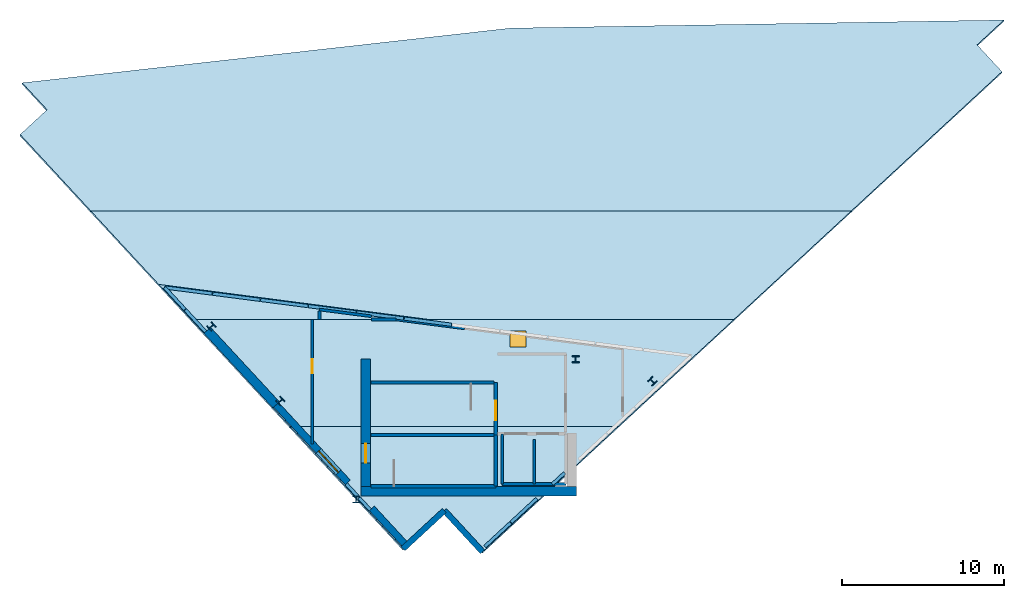
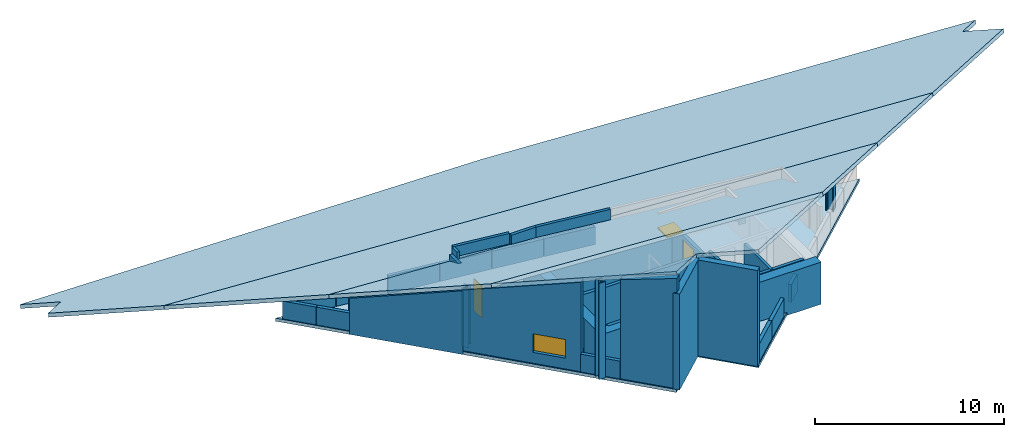
# One storey, part 1 of 3: 33 walls, 5 columns, 5 slabs, 4 doors, 1 window, 5 openings.
"""IFC4 building model written with IfcOpenShell, lengths in metres."""

from ifc_helpers import new_model, si_unit, direction, frame, frame_2d, origin, origin_2d, place, context, subcontext, project, spatial, polyline, rectangle, i_section, outline, extrude, material, layer, layer_set, material_profile, profile_set, type_object, element, fill, save


model = new_model("IFC4")

# Units and contexts
model_context = context("Model", 3, precision=1e-05, world=origin(), true_north=direction((0.0, 1.0)))
body_context = subcontext(model_context, "Body", "Model", "MODEL_VIEW")
ifc_project = project(units=[si_unit("LENGTHUNIT", "METRE"), si_unit("AREAUNIT", "SQUARE_METRE"), si_unit("VOLUMEUNIT", "CUBIC_METRE"), si_unit("PLANEANGLEUNIT", "RADIAN"), si_unit("MASSUNIT", "GRAM", prefix="KILO")], contexts=[model_context])

# Site, building, storey
site_placement = place(None, origin())
site = spatial("IfcSite", under=ifc_project, at=site_placement, CompositionType="ELEMENT")
building_placement = place(site_placement, origin())
building = spatial("IfcBuilding", under=site, at=building_placement, Name="Narakoshi Arena Tower", CompositionType="ELEMENT")
storey_placement = place(building_placement, frame((0.0, 0.0, 317.3798828125)))
storey = spatial("IfcBuildingStorey", under=building, at=storey_placement, Name="L85", CompositionType="ELEMENT", Elevation=317.3798828125)

# Columns
ifc_material_1 = material(Name="Structural steel S355J2", Category="steel")
ifc_material_profile = material_profile(ifc_material_1, i_section(OverallWidth=0.406005859375, OverallDepth=0.416015625, WebThickness=0.02978515625, FlangeThickness=0.048095703125, FilletRadius=0.014892578125, at=origin_2d()), Name="HD400x382")
ifc_profile_set = profile_set([ifc_material_profile], Name="Structural steel S355J2")
column_type = type_object("IfcColumnType", Name="COL-STL382", PredefinedType="COLUMN", material=ifc_profile_set)
column_1_placement = place(storey_placement, frame((72.0, 34.699951171875, 0.0), z_axis=(0.0, 0.0, 1.0), x_axis=(1.0, 0.0, 0.0)))
element("IfcColumn", 1, at=column_1_placement, inside=storey, type_object=column_type, Name="L85 Core Structural Column CC1", PredefinedType="COLUMN", context=body_context, shape_type="SweptSolid", body=[
    extrude(i_section(OverallWidth=0.406005859375, OverallDepth=0.416015625, WebThickness=0.02978515625, FlangeThickness=0.048095703125, FilletRadius=0.014892578125, at=origin_2d()), origin(), (0.0, 0.0, 1.0), 6.20654296875),
])
column_2_placement = place(storey_placement, frame((85.550048828125, 43.35009765625, 0.0), z_axis=(0.0, 0.0, 1.0), x_axis=(1.0, 0.0, 0.0)))
element("IfcColumn", 2, at=column_2_placement, inside=storey, type_object=column_type, Name="L85 Core Structural Column CC3", PredefinedType="COLUMN", context=body_context, shape_type="SweptSolid", body=[
    extrude(i_section(OverallWidth=0.406005859375, OverallDepth=0.416015625, WebThickness=0.02978515625, FlangeThickness=0.048095703125, FilletRadius=0.014892578125, at=origin_2d()), origin(), (0.0, 0.0, 1.0), 1.60986328125),
])
column_3_placement = place(storey_placement, frame((90.2734375, 41.992919921875, 0.0), z_axis=(0.0, 0.0, 1.0), x_axis=(0.734322509436, 0.678800745533, 0.0)))
element("IfcColumn", 3, at=column_3_placement, inside=storey, type_object=column_type, Name="L85 Tower Perimeter Column TC01", PredefinedType="COLUMN", context=body_context, shape_type="SweptSolid", body=[
    extrude(i_section(OverallWidth=0.406005859375, OverallDepth=0.416015625, WebThickness=0.02978515625, FlangeThickness=0.048095703125, FilletRadius=0.014892578125, at=origin_2d()), origin(), (0.0, 0.0, 1.0), 1.93798828125),
])
column_4_placement = place(storey_placement, frame((63.083984375, 45.3642578125, 0.0), z_axis=(0.0, 0.0, 1.0), x_axis=(-0.678800745533, 0.734322509436, 0.0)))
element("IfcColumn", 4, at=column_4_placement, inside=storey, type_object=column_type, Name="L85 Tower Perimeter Column TC15", PredefinedType="COLUMN", context=body_context, shape_type="SweptSolid", body=[
    extrude(i_section(OverallWidth=0.406005859375, OverallDepth=0.416015625, WebThickness=0.02978515625, FlangeThickness=0.048095703125, FilletRadius=0.014892578125, at=origin_2d()), origin(), (0.0, 0.0, 1.0), 2.009765625),
])
column_5_placement = place(storey_placement, frame((67.332763671875, 40.767578125, 0.0), z_axis=(0.0, 0.0, 1.0), x_axis=(-0.678800745533, 0.734322509436, 0.0)))
element("IfcColumn", 5, at=column_5_placement, inside=storey, type_object=column_type, Name="L85 Tower Perimeter Column TC16", PredefinedType="COLUMN", context=body_context, shape_type="SweptSolid", body=[
    extrude(i_section(OverallWidth=0.406005859375, OverallDepth=0.416015625, WebThickness=0.02978515625, FlangeThickness=0.048095703125, FilletRadius=0.014892578125, at=origin_2d()), origin(), (0.0, 0.0, 1.0), 3.79541015625),
])

# Slabs
ifc_material_2 = material(Name="Clear low-iron laminated structural glass", Category="glass")
ifc_layer_1 = layer(ifc_material_2, 0.219970703125)
ifc_layer_set_1 = layer_set([ifc_layer_1], Name="Clear low-iron laminated structural glass")
slab_type_1 = type_object("IfcSlabType", Name="SLB-CRN-220", PredefinedType="ROOF", material=ifc_layer_set_1)
slab_1_placement = place(storey_placement, frame((79.8056640625, 31.47216796875, 7.423828125), z_axis=(0.05241931565, 0.403346532841, 0.913544629338), x_axis=(-0.652800980486, 0.706120666892, -0.274307279642)))
element("IfcSlab", 6, at=slab_1_placement, inside=storey, type_object=slab_type_1, Name="L85 Slanted-Cut 24-Degree Glazed Crown Roof Panel 1", PredefinedType="ROOF", context=body_context, shape_type="SweptSolid", body=[
    extrude(outline(polyline([(0.0, 0.0), (3.607421875, 0.0), (3.282470703125, 3.651611328125), (13.953369140625, 3.651123046875), (1.06689453125, -11.98388671875), (0.0, 0.0)])), origin(), (0.0, 0.0, -1.0), 0.219970703125),
])
slab_2_placement = place(storey_placement, frame((88.16552734375, 39.199951171875, 3.5322265625), z_axis=(0.052418356279, 0.403344418437, 0.913545617931), x_axis=(-0.99835788023, 1.07921e-07, 0.057284753495)))
element("IfcSlab", 7, at=slab_2_placement, inside=storey, type_object=slab_type_1, Name="L85 Slanted-Cut 24-Degree Glazed Crown Roof Panel 2", PredefinedType="ROOF", context=body_context, shape_type="SweptSolid", body=[
    extrude(outline(polyline([(0.0, 0.0), (20.260986328125, 0.0), (26.205322265625, -7.212890625), (-7.318603515625, -7.212890625), (0.0, 0.0)])), origin(), (0.0, 0.0, -1.0), 0.219970703125),
])
slab_3_placement = place(storey_placement, frame((95.305419921875, 45.800048828125, 0.20849609375), z_axis=(0.052420706766, 0.403359660179, 0.913538753443), x_axis=(-0.998357732236, 1.039921e-06, 0.057287332661)))
element("IfcSlab", 8, at=slab_3_placement, inside=storey, type_object=slab_type_1, Name="L85 Slanted-Cut 24-Degree Glazed Crown Roof Panel 3", PredefinedType="ROOF", context=body_context, shape_type="SweptSolid", body=[
    extrude(outline(polyline([(0.0, 0.0), (33.523681640625, 0.0), (39.557861328125, -7.322021484375), (-7.429443359375, -7.322021484375), (0.0, 0.0)])), origin(), (0.0, 0.0, -1.0), 0.219970703125),
])
slab_4_placement = place(storey_placement, frame((51.298095703125, 57.200439453125, -2.2998046875), z_axis=(0.052424913926, 0.403333644309, 0.913549998505), x_axis=(0.694864042498, 0.642295929438, -0.323449998409)))
element("IfcSlab", 9, at=slab_4_placement, inside=storey, type_object=slab_type_1, Name="L85 Slanted-Cut 24-Degree Glazed Crown Roof Panel 4", PredefinedType="ROOF", context=body_context, shape_type="SweptSolid", body=[
    extrude(outline(polyline([(0.0, 0.0), (2.38330078125, 0.0), (2.59130859375, 2.3359375), (26.7265625, -16.270263671875), (48.8203125, -37.275634765625), (46.43701171875, -37.275634765625), (46.229248046875, -39.611572265625), (32.87646484375, -39.61181640625), (-0.59033203125, -6.63037109375), (0.0, 0.0)])), origin(), (0.0, 0.0, -1.0), 0.219970703125),
])

# Slab, opening, door
ifc_material_3 = material(Name="Concrete C45/55", Category="concrete")
ifc_layer_2 = layer(ifc_material_3, 0.199951171875)
ifc_layer_set_2 = layer_set([ifc_layer_2], Name="Concrete C45/55")
slab_type_2 = type_object("IfcSlabType", Name="SLB-TWR-200", PredefinedType="FLOOR", material=ifc_layer_set_2)
slab_5_placement = place(storey_placement, frame((0.0, 0.0, -0.199951171875)))
slab_5 = element("IfcSlab", 10, at=slab_5_placement, inside=storey, type_object=slab_type_2, Name="L85 Structural Floor Slab", PredefinedType="FLOOR", context=body_context, shape_type="SweptSolid", body=[
    extrude(outline(polyline([(79.8056640625, 31.47216796875), (77.45068359375, 34.01953125), (74.9033203125, 31.664794921875), (59.83740234375, 47.962890625), (92.984619140625, 43.654541015625), (79.8056640625, 31.47216796875)]), holes=[polyline([(80.5, 38.550048828125), (80.5, 35.550048828125), (74.47998046875, 35.550048828125), (74.47998046875, 38.550048828125), (80.5, 38.550048828125)]), polyline([(82.89990234375, 38.25), (82.89990234375, 35.75), (81.14990234375, 35.75), (81.14990234375, 38.25), (82.89990234375, 38.25)]), polyline([(84.89990234375, 38.25), (84.89990234375, 36.794189453125), (83.7705078125, 35.75), (83.14990234375, 35.75), (83.14990234375, 38.25), (84.89990234375, 38.25)]), polyline([(78.969970703125, 41.800048828125), (78.969970703125, 38.800048828125), (72.949951171875, 38.800048828125), (72.949951171875, 41.800048828125), (78.969970703125, 41.800048828125)])]), origin(), (0.0, 0.0, 1.0), 0.199951171875),
])
opening_1_placement = place(slab_5_placement, frame((82.0, 44.60009765625, -0.010009765625)))
opening_1 = element("IfcOpeningElement", 11, at=opening_1_placement, cuts=slab_5, Name="Opening D-15", PredefinedType="OPENING", context=body_context, shape_type="SweptSolid", body=[
    extrude(rectangle(XDim=1.0, YDim=1.0, at=origin_2d()), origin(), (0.0, 0.0, 1.0), 0.219970703125),
])
ifc_material_4 = material(Name="Painted galvanized steel", Category="steel")
door_type_1 = type_object("IfcDoorType", Name="DR-HTH-1000", OperationType="NOTDEFINED", PredefinedType="TRAPDOOR", material=ifc_material_4)
door_1_placement = place(opening_1_placement, frame((0.0, 0.0, 0.1298828125)))
door_1 = element("IfcDoor", 12, at=door_1_placement, inside=storey, type_object=door_type_1, Name="DR-L85-001", OperationType="SINGLE_SWING_LEFT", OverallHeight=1.0, OverallWidth=1.0, PredefinedType="TRAPDOOR", context=body_context, shape_type="SweptSolid", body=[
    extrude(rectangle(XDim=1.0, YDim=1.0, at=origin_2d()), origin(), (0.0, 0.0, 1.0), 0.080078125),
])
fill(opening_1, door_1)

# Wall, opening, door
ifc_material_5 = material(Name="Concrete C50/60", Category="concrete")
ifc_layer_3 = layer(ifc_material_5, 0.60009765625)
ifc_layer_set_3 = layer_set([ifc_layer_3], Name="Concrete C50/60")
wall_type_1 = type_object("IfcWallType", Name="WL-CORE-600", PredefinedType="SHEAR", material=ifc_layer_set_3)
wall_1_placement = place(storey_placement, frame((72.60009765625, 35.5, -0.199951171875), z_axis=(0.0, 0.0, 1.0), x_axis=(0.0, 1.0, 0.0)))
wall_1 = element("IfcWall", 13, at=wall_1_placement, inside=storey, type_object=wall_type_1, Name="L85 Central Core Shear Wall CW-APX-W", PredefinedType="SHEAR", context=body_context, shape_type="SweptSolid", body=[
    extrude(rectangle(XDim=7.85009765625, YDim=0.60009765625, at=frame_2d((3.925048828125, 0.0))), origin(), (0.0, 0.0, 1.0), 2.512939453125),
])
opening_2_placement = place(wall_1_placement, frame((1.449951171875, 0.0, 0.199951171875)))
opening_2 = element("IfcOpeningElement", 14, at=opening_2_placement, cuts=wall_1, Name="Opening D-03", PredefinedType="OPENING", context=body_context, shape_type="SweptSolid", body=[
    extrude(rectangle(XDim=1.199951171875, YDim=2.199951171875, at=frame_2d((0.60009765625, 1.10009765625))), frame((0.0, 0.31005859375, 0.0), z_axis=(0.0, -1.0, 0.0), x_axis=(1.0, 0.0, 0.0)), (0.0, 0.0, 1.0), 0.6201171875),
])
door_type_2 = type_object("IfcDoorType", Name="DR-STR-1200", OperationType="NOTDEFINED", PredefinedType="USERDEFINED", material=ifc_material_4)
door_2_placement = place(opening_2_placement, frame((1.199951171875, 0.0, 0.0), z_axis=(0.0, 0.0, 1.0), x_axis=(-1.0, 0.0, 0.0)))
door_2 = element("IfcDoor", 15, at=door_2_placement, inside=storey, type_object=door_type_2, Name="DR-L85-002", ObjectType="EXITDOOR", OperationType="SINGLE_SWING_LEFT", OverallHeight=2.199951171875, OverallWidth=1.199951171875, PredefinedType="USERDEFINED", context=body_context, shape_type="SweptSolid", body=[
    extrude(rectangle(XDim=1.199951171875, YDim=2.199951171875, at=frame_2d((0.60009765625, 1.10009765625))), frame((0.0, 0.02490234375, 0.0), z_axis=(0.0, -1.0, 0.0), x_axis=(1.0, 0.0, 0.0)), (0.0, 0.0, 1.0), 0.050048828125),
])
fill(opening_2, door_2)

# Wall
wall_2_placement = place(storey_placement, frame((72.300048828125, 35.199951171875, -0.199951171875), z_axis=(0.0, 0.0, 1.0), x_axis=(1.0, 0.0, 0.0)))
element("IfcWall", 16, at=wall_2_placement, inside=storey, type_object=wall_type_1, Name="L85 Central Core Shear Wall CW-APX-S", PredefinedType="SHEAR", context=body_context, shape_type="SweptSolid", body=[
    extrude(rectangle(XDim=13.300048828125, YDim=0.60009765625, at=frame_2d((6.64990234375, 0.0))), origin(), (0.0, 0.0, 1.0), 2.719970703125),
])

# Wall, opening, door
ifc_material_6 = material(Name="Gypsum plasterboard fire-rated partition")
ifc_layer_4 = layer(ifc_material_6, 0.1650390625)
ifc_layer_set_4 = layer_set([ifc_layer_4], Name="Gypsum plasterboard fire-rated partition")
wall_type_2 = type_object("IfcWallType", Name="WL-CORR-165", PredefinedType="PARTITIONING", material=ifc_layer_set_4)
wall_3_placement = place(storey_placement, frame((69.300048828125, 45.800048828125, 0.0), z_axis=(0.0, 0.0, 1.0), x_axis=(0.0, -1.0, 0.0)))
wall_3 = element("IfcWall", 17, at=wall_3_placement, inside=storey, type_object=wall_type_2, Name="L85 Corridor Partition 01-1", PredefinedType="PARTITIONING", context=body_context, shape_type="SweptSolid", body=[
    extrude(rectangle(XDim=7.69091796875, YDim=0.1650390625, at=frame_2d((3.845458984375, 0.0))), origin(), (0.0, 0.0, 1.0), 2.1201171875),
])
opening_3_placement = place(wall_3_placement, frame((2.454345703125, 0.0, 0.0)))
opening_3 = element("IfcOpeningElement", 18, at=opening_3_placement, cuts=wall_3, Name="Opening D-10", PredefinedType="OPENING", context=body_context, shape_type="SweptSolid", body=[
    extrude(rectangle(XDim=0.85009765625, YDim=2.050048828125, at=frame_2d((0.425048828125, 1.02490234375))), frame((0.0, 0.092529296875, 0.0), z_axis=(0.0, -1.0, 0.0), x_axis=(1.0, 0.0, 0.0)), (0.0, 0.0, 1.0), 0.18505859375),
])
door_type_3 = type_object("IfcDoorType", Name="DR-RSR-850", OperationType="NOTDEFINED", PredefinedType="DOOR", material=ifc_material_4)
door_3_placement = place(opening_3_placement, frame((0.85009765625, 0.0, 0.0), z_axis=(0.0, 0.0, 1.0), x_axis=(-1.0, 0.0, 0.0)))
door_3 = element("IfcDoor", 19, at=door_3_placement, inside=storey, type_object=door_type_3, Name="DR-L85-007", OperationType="SINGLE_SWING_LEFT", OverallHeight=2.050048828125, OverallWidth=0.85009765625, PredefinedType="DOOR", context=body_context, shape_type="SweptSolid", body=[
    extrude(rectangle(XDim=0.85009765625, YDim=2.050048828125, at=frame_2d((0.425048828125, 1.02490234375))), frame((0.0, 0.02490234375, 0.0), z_axis=(0.0, -1.0, 0.0), x_axis=(1.0, 0.0, 0.0)), (0.0, 0.0, 1.0), 0.050048828125),
])
fill(opening_3, door_3)

# Walls
wall_4_placement = place(storey_placement, frame((78.685791015625, 45.2509765625, 0.0), z_axis=(0.0, 0.0, 1.0), x_axis=(-0.991659426555, 0.128885925238, 0.0)))
element("IfcWall", 20, at=wall_4_placement, inside=storey, type_object=wall_type_2, Name="L85 Corridor Partition 01-2", PredefinedType="PARTITIONING", context=body_context, shape_type="SweptSolid", body=[
    extrude(rectangle(XDim=4.26025390625, YDim=0.1650390625, at=frame_2d((2.130126953125, 0.0))), origin(), (0.0, 0.0, 1.0), 2.1201171875),
])
wall_5_placement = place(storey_placement, frame((72.949951171875, 45.996337890625, 0.0), z_axis=(0.0, 0.0, 1.0), x_axis=(-0.991654746829, 0.128921926344, 0.0)))
element("IfcWall", 21, at=wall_5_placement, inside=storey, type_object=wall_type_2, Name="L85 Corridor Partition 01-3", PredefinedType="PARTITIONING", context=body_context, shape_type="SweptSolid", body=[
    extrude(rectangle(XDim=3.226806640625, YDim=0.1650390625, at=frame_2d((1.61328125, 0.0))), origin(), (0.0, 0.0, 1.0), 2.1201171875),
])
wall_6_placement = place(storey_placement, frame((74.461181640625, 45.800048828125, 0.0), z_axis=(0.0, 0.0, 1.0), x_axis=(-1.0, 0.0, 0.0)))
element("IfcWall", 22, at=wall_6_placement, inside=storey, type_object=wall_type_2, Name="L85 Corridor Partition 01-4", PredefinedType="PARTITIONING", context=body_context, shape_type="SweptSolid", body=[
    extrude(rectangle(XDim=1.51123046875, YDim=0.1650390625, at=frame_2d((0.755615234375, 0.0))), origin(), (0.0, 0.0, 1.0), 2.1201171875),
])
wall_7_placement = place(storey_placement, frame((69.75, 46.31689453125, 0.0), z_axis=(0.0, 0.0, 1.0), x_axis=(0.0, -1.0, 0.0)))
element("IfcWall", 23, at=wall_7_placement, inside=storey, type_object=wall_type_2, Name="L85 Corridor Partition 01-5", PredefinedType="PARTITIONING", context=body_context, shape_type="SweptSolid", body=[
    extrude(rectangle(XDim=0.516845703125, YDim=0.1650390625, at=frame_2d((0.25830078125, 0.0))), origin(), (0.0, 0.0, 1.0), 2.1201171875),
])
ifc_layer_5 = layer(ifc_material_5, 0.550048828125)
ifc_layer_set_5 = layer_set([ifc_layer_5], Name="Concrete C50/60")
wall_type_3 = type_object("IfcWallType", Name="WL-LEG-550", PredefinedType="SHEAR", material=ifc_layer_set_5)
wall_8_placement = place(storey_placement, frame((62.83056640625, 45.1298828125, -0.199951171875), z_axis=(0.0, 0.0, 1.0), x_axis=(0.678811265787, -0.734312784473, 0.0)))
element("IfcWall", 24, at=wall_8_placement, inside=storey, type_object=wall_type_3, Name="L85 Architectural Concrete Structural Wall LEGB-2", PredefinedType="SHEAR", context=body_context, shape_type="SweptSolid", body=[
    extrude(outline(polyline([(0.0, 0.0), (6.259521484375, 0.0), (6.259521484375, 4.11328125), (0.0, 2.327880859375), (0.0, 0.0)])), frame((0.0, 0.27490234375, 0.0), z_axis=(0.0, -1.0, 0.0), x_axis=(1.0, 0.0, 0.0)), (0.0, 0.0, 1.0), 0.550048828125),
])
ifc_material_7 = material(Name="Precast concrete C45/55", Category="concrete")
ifc_layer_6 = layer(ifc_material_7, 0.25)
ifc_layer_set_6 = layer_set([ifc_layer_6], Name="Precast concrete C45/55")
wall_type_4 = type_object("IfcWallType", Name="WL-PARA-250", PredefinedType="PARAPET", material=ifc_layer_set_6)
wall_9_placement = place(storey_placement, frame((72.881103515625, 34.058349609375, 0.0), z_axis=(0.0, 0.0, 1.0), x_axis=(-0.678872530156, 0.734256145905, 0.0)))
element("IfcWall", 25, at=wall_9_placement, inside=storey, type_object=wall_type_4, Name="L85 Crown Sill Upstand Parapet 01", PredefinedType="PARAPET", context=body_context, shape_type="SweptSolid", body=[
    extrude(rectangle(XDim=1.009521484375, YDim=0.199951171875, at=frame_2d((0.5048828125, 0.0))), origin(), (0.0, 0.0, 1.0), 1.150146484375),
])
wall_10_placement = place(storey_placement, frame((72.114990234375, 34.88720703125, 0.0), z_axis=(0.0, 0.0, 1.0), x_axis=(-0.678713667452, 0.734402994012, 0.0)))
element("IfcWall", 26, at=wall_10_placement, inside=storey, type_object=wall_type_4, Name="L85 Crown Sill Upstand Parapet 02", PredefinedType="PARAPET", context=body_context, shape_type="SweptSolid", body=[
    extrude(rectangle(XDim=1.05224609375, YDim=0.199951171875, at=frame_2d((0.526123046875, 0.0))), origin(), (0.0, 0.0, 1.0), 1.150146484375),
])
for number, where, z_axis, x_axis, name in (
    (27, (62.7314453125, 45.038330078125, 0.0), (0.0, 0.0, 1.0), (-0.678808139369, 0.734315674575, 0.0), "L85 Crown Sill Upstand Parapet 03"),
    (28, (61.453125, 46.4208984375, 0.0), (0.0, 0.0, 1.0), (-0.678670660703, 0.734442737251, 0.0), "L85 Crown Sill Upstand Parapet 04"),
):
    element("IfcWall", number, at=place(storey_placement, frame(where, z_axis=z_axis, x_axis=x_axis)), inside=storey, type_object=wall_type_4, Name=name, PredefinedType="PARAPET", context=body_context, shape_type="SweptSolid", body=[
        extrude(rectangle(XDim=1.843017578125, YDim=0.199951171875, at=frame_2d((0.92138671875, 0.0))), origin(), (0.0, 0.0, 1.0), 1.150146484375),
    ])
wall_11_placement = place(storey_placement, frame((60.202392578125, 47.7744140625, 0.0), z_axis=(0.0, 0.0, 1.0), x_axis=(0.991656039632, -0.128911981834, 0.0)))
element("IfcWall", 29, at=wall_11_placement, inside=storey, type_object=wall_type_4, Name="L85 Crown Sill Upstand Parapet 05", PredefinedType="PARAPET", context=body_context, shape_type="SweptSolid", body=[
    extrude(rectangle(XDim=2.956298828125, YDim=0.199951171875, at=frame_2d((1.47802734375, 0.0))), origin(), (0.0, 0.0, 1.0), 1.150146484375),
])
for number, where, z_axis, x_axis, name in (
    (30, (63.173583984375, 47.387939453125, 0.0), (0.0, 0.0, 1.0), (0.991662418036, -0.128862906435, 0.0), "L85 Crown Sill Upstand Parapet 06"),
    (31, (66.125244140625, 47.00439453125, 0.0), (0.0, 0.0, 1.0), (0.991662418036, -0.128862906435, 0.0), "L85 Crown Sill Upstand Parapet 07"),
    (32, (69.076904296875, 46.620849609375, 0.0), (0.0, 0.0, 1.0), (0.991662418036, -0.128862906435, 0.0), "L85 Crown Sill Upstand Parapet 08"),
):
    element("IfcWall", number, at=place(storey_placement, frame(where, z_axis=z_axis, x_axis=x_axis)), inside=storey, type_object=wall_type_4, Name=name, PredefinedType="PARAPET", context=body_context, shape_type="SweptSolid", body=[
        extrude(rectangle(XDim=2.9365234375, YDim=0.199951171875, at=frame_2d((1.46826171875, 0.0))), origin(), (0.0, 0.0, 1.0), 1.150146484375),
    ])
wall_12_placement = place(storey_placement, frame((72.028564453125, 46.2373046875, 0.0), z_axis=(0.0, 0.0, 1.0), x_axis=(0.991650408323, -0.12895529331, 0.0)))
element("IfcWall", 33, at=wall_12_placement, inside=storey, type_object=wall_type_4, Name="L85 Crown Sill Upstand Parapet 09", PredefinedType="PARAPET", context=body_context, shape_type="SweptSolid", body=[
    extrude(rectangle(XDim=2.936279296875, YDim=0.199951171875, at=frame_2d((1.46826171875, 0.0))), origin(), (0.0, 0.0, 1.0), 1.150146484375),
])
wall_13_placement = place(storey_placement, frame((74.97998046875, 45.853515625, 0.0), z_axis=(0.0, 0.0, 1.0), x_axis=(0.991662418036, -0.128862906435, 0.0)))
element("IfcWall", 34, at=wall_13_placement, inside=storey, type_object=wall_type_4, Name="L85 Crown Sill Upstand Parapet 10", PredefinedType="PARAPET", context=body_context, shape_type="SweptSolid", body=[
    extrude(rectangle(XDim=2.9365234375, YDim=0.199951171875, at=frame_2d((1.46826171875, 0.0))), origin(), (0.0, 0.0, 1.0), 1.150146484375),
])
wall_14_placement = place(storey_placement, frame((84.860107421875, 36.3349609375, 0.0), z_axis=(0.0, 0.0, 1.0), x_axis=(-0.734337093013, -0.678784968768, 0.0)))
element("IfcWall", 35, at=wall_14_placement, inside=storey, type_object=wall_type_4, Name="L85 Crown Sill Upstand Parapet 20", PredefinedType="PARAPET", context=body_context, shape_type="SweptSolid", body=[
    extrude(rectangle(XDim=1.02392578125, YDim=0.199951171875, at=frame_2d((0.511962890625, 0.0))), origin(), (0.0, 0.0, 1.0), 1.150146484375),
])
wall_15_placement = place(storey_placement, frame((83.15625, 34.760009765625, 0.0), z_axis=(0.0, 0.0, 1.0), x_axis=(-0.73434521047, -0.678776186869, 0.0)))
element("IfcWall", 36, at=wall_15_placement, inside=storey, type_object=wall_type_4, Name="L85 Crown Sill Upstand Parapet 21", PredefinedType="PARAPET", context=body_context, shape_type="SweptSolid", body=[
    extrude(rectangle(XDim=2.166015625, YDim=0.199951171875, at=frame_2d((1.0830078125, 0.0))), origin(), (0.0, 0.0, 1.0), 1.150146484375),
])
wall_16_placement = place(storey_placement, frame((81.5361328125, 33.262451171875, 0.0), z_axis=(0.0, 0.0, 1.0), x_axis=(-0.734289028246, -0.678836963488, 0.0)))
element("IfcWall", 37, at=wall_16_placement, inside=storey, type_object=wall_type_4, Name="L85 Crown Sill Upstand Parapet 22", PredefinedType="PARAPET", context=body_context, shape_type="SweptSolid", body=[
    extrude(rectangle(XDim=2.166259765625, YDim=0.199951171875, at=frame_2d((1.0830078125, 0.0))), origin(), (0.0, 0.0, 1.0), 1.150146484375),
])

# Wall, opening, window
ifc_layer_7 = layer(ifc_material_7, 0.419921875)
ifc_layer_set_7 = layer_set([ifc_layer_7], Name="Precast concrete C45/55")
wall_type_5 = type_object("IfcWallType", Name="WL-POD-420", PredefinedType="SOLIDWALL", material=ifc_layer_set_7)
wall_17_placement = place(storey_placement, frame((67.07958984375, 40.533447265625, 0.0), z_axis=(0.0, 0.0, 1.0), x_axis=(0.678800006437, -0.734323192648, 0.0)))
wall_17 = element("IfcWall", 38, at=wall_17_placement, inside=storey, type_object=wall_type_5, Name="L85 Architectural Concrete Facade Wall LEGB-3", PredefinedType="SOLIDWALL", context=body_context, shape_type="SweptSolid", body=[
    extrude(outline(polyline([(0.0, 0.0), (6.51220703125, 0.0), (6.51220703125, 5.77099609375), (0.0, 3.913330078125), (0.0, 0.0)])), frame((0.0, 0.2099609375, 0.0), z_axis=(0.0, -1.0, 0.0), x_axis=(1.0, 0.0, 0.0)), (0.0, 0.0, 1.0), 0.419921875),
])
opening_4_placement = place(wall_17_placement, frame((3.865234375, 0.0, 0.699951171875)))
opening_4 = element("IfcOpeningElement", 39, at=opening_4_placement, cuts=wall_17, Name="Opening WN-05", PredefinedType="OPENING", context=body_context, shape_type="SweptSolid", body=[
    extrude(rectangle(XDim=1.800048828125, YDim=1.199951171875, at=frame_2d((0.89990234375, 0.60009765625))), frame((0.0, 0.219970703125, 0.0), z_axis=(0.0, -1.0, 0.0), x_axis=(1.0, 0.0, 0.0)), (0.0, 0.0, 1.0), 0.43994140625),
])
ifc_material_8 = material(Name="Bronze-tinted low-E laminated glass", Category="glass")
window_type = type_object("IfcWindowType", Name="WIN-SLT-18x12", PartitioningType="SINGLE_PANEL", PredefinedType="WINDOW", material=ifc_material_8)
window_placement = place(opening_4_placement, origin())
window = element("IfcWindow", 40, at=window_placement, inside=storey, type_object=window_type, Name="L85 LEGB3 Horizontal Slot Window 1", OverallHeight=1.199951171875, OverallWidth=1.800048828125, PartitioningType="SINGLE_PANEL", PredefinedType="WINDOW", context=body_context, shape_type="SweptSolid", body=[
    extrude(rectangle(XDim=1.800048828125, YDim=1.199951171875, at=frame_2d((0.89990234375, 0.60009765625))), frame((0.0, 0.030029296875, 0.0), z_axis=(0.0, -1.0, 0.0), x_axis=(1.0, 0.0, 0.0)), (0.0, 0.0, 1.0), 0.06005859375),
])
fill(opening_4, window)

# Walls
wall_18_placement = place(storey_placement, frame((72.980224609375, 34.14990234375, 0.0), z_axis=(0.0, 0.0, 1.0), x_axis=(0.67879500555, -0.73432781538, 0.0)))
element("IfcWall", 41, at=wall_18_placement, inside=storey, type_object=wall_type_5, Name="L85 Architectural Concrete Facade Wall LEGB-4", PredefinedType="SOLIDWALL", context=body_context, shape_type="SweptSolid", body=[
    extrude(outline(polyline([(0.0, 0.0), (3.130126953125, 0.0), (3.13037109375, 7.1201171875), (0.0, 6.39306640625), (0.0, 0.0)])), frame((0.0, 0.2099609375, 0.0), z_axis=(0.0, -1.0, 0.0), x_axis=(1.0, 0.0, 0.0)), (0.0, 0.0, 1.0), 0.419921875),
])
wall_19_placement = place(storey_placement, frame((74.9033203125, 31.664794921875, 0.0), z_axis=(0.0, 0.0, 1.0), x_axis=(0.734325680362, 0.678797315228, 0.0)))
element("IfcWall", 42, at=wall_19_placement, inside=storey, type_object=wall_type_5, Name="L85 Re-Entrant Corner Notch Wall NTA-1", PredefinedType="SOLIDWALL", context=body_context, shape_type="SweptSolid", body=[
    extrude(rectangle(XDim=3.468994140625, YDim=0.360107421875, at=frame_2d((1.734375, 0.0))), origin(), (0.0, 0.0, 1.0), 6.1943359375),
])
wall_20_placement = place(storey_placement, frame((77.45068359375, 34.01953125, 0.0), z_axis=(0.0, 0.0, 1.0), x_axis=(0.678835262818, -0.734290600481, 0.0)))
element("IfcWall", 43, at=wall_20_placement, inside=storey, type_object=wall_type_5, Name="L85 Re-Entrant Corner Notch Wall NTA-2", PredefinedType="SOLIDWALL", context=body_context, shape_type="SweptSolid", body=[
    extrude(rectangle(XDim=3.46923828125, YDim=0.360107421875, at=frame_2d((1.734619140625, 0.0))), origin(), (0.0, 0.0, 1.0), 6.1943359375),
])
ifc_material_9 = material(Name="Concrete C40/50", Category="concrete")
ifc_layer_8 = layer(ifc_material_9, 0.280029296875)
ifc_layer_set_8 = layer_set([ifc_layer_8], Name="Concrete C40/50")
wall_type_6 = type_object("IfcWallType", Name="WL-RISER-280", PredefinedType="PLUMBINGWALL", material=ifc_layer_set_8)
wall_21_placement = place(storey_placement, frame((83.0, 35.64990234375, 0.0), z_axis=(0.0, 0.0, 1.0), x_axis=(0.0, 1.0, 0.0)))
element("IfcWall", 44, at=wall_21_placement, inside=storey, type_object=wall_type_6, Name="L85 Core Wall FF-DIV", PredefinedType="PLUMBINGWALL", context=body_context, shape_type="SweptSolid", body=[
    extrude(rectangle(XDim=2.75, YDim=0.159912109375, at=frame_2d((1.375, 0.0))), origin(), (0.0, 0.0, 1.0), 2.52001953125),
])
ifc_layer_9 = layer(ifc_material_5, 0.35009765625)
ifc_layer_set_9 = layer_set([ifc_layer_9], Name="Concrete C50/60")
wall_type_7 = type_object("IfcWallType", Name="WL-SHAFT-350", PredefinedType="SOLIDWALL", material=ifc_layer_set_9)
for number, where, z_axis, x_axis, name in (
    (45, (72.919921875, 35.52001953125, -0.199951171875), (0.0, 0.0, 1.0), (1.0, 0.0, 0.0), "L85 Core Wall ST1-S"),
    (46, (72.919921875, 38.675048828125, -0.199951171875), (0.0, 0.0, 1.0), (1.0, 0.0, 0.0), "L85 Core Wall ST12-DIV"),
):
    element("IfcWall", number, at=place(storey_placement, frame(where, z_axis=z_axis, x_axis=x_axis)), inside=storey, type_object=wall_type_7, Name=name, PredefinedType="SOLIDWALL", context=body_context, shape_type="SweptSolid", body=[
        extrude(rectangle(XDim=7.7001953125, YDim=0.199951171875, at=frame_2d((3.85009765625, 0.0))), origin(), (0.0, 0.0, 1.0), 2.719970703125),
    ])
wall_22_placement = place(storey_placement, frame((80.6201171875, 35.52001953125, -0.199951171875), z_axis=(0.0, 0.0, 1.0), x_axis=(0.0, 1.0, 0.0)))
element("IfcWall", 47, at=wall_22_placement, inside=storey, type_object=wall_type_7, Name="L85 Core Wall ST1-E", PredefinedType="SOLIDWALL", context=body_context, shape_type="SweptSolid", body=[
    extrude(rectangle(XDim=3.155029296875, YDim=0.199951171875, at=frame_2d((1.57763671875, 0.0))), origin(), (0.0, 0.0, 1.0), 2.719970703125),
])

# Wall, opening, door
wall_23_placement = place(storey_placement, frame((80.6201171875, 38.675048828125, -0.199951171875), z_axis=(0.0, 0.0, 1.0), x_axis=(0.0, 1.0, 0.0)))
wall_23 = element("IfcWall", 48, at=wall_23_placement, inside=storey, type_object=wall_type_7, Name="L85 Core Wall ST2-E", PredefinedType="SOLIDWALL", context=body_context, shape_type="SweptSolid", body=[
    extrude(rectangle(XDim=3.244873046875, YDim=0.199951171875, at=frame_2d((1.62255859375, 0.0))), origin(), (0.0, 0.0, 1.0), 2.68408203125),
])
opening_5_placement = place(wall_23_placement, frame((0.89990234375, 0.0, 0.199951171875)))
opening_5 = element("IfcOpeningElement", 49, at=opening_5_placement, cuts=wall_23, Name="Opening D-03", PredefinedType="OPENING", context=body_context, shape_type="SweptSolid", body=[
    extrude(rectangle(XDim=1.199951171875, YDim=2.199951171875, at=frame_2d((0.60009765625, 1.10009765625))), frame((0.0, 0.10986328125, 0.0), z_axis=(0.0, -1.0, 0.0), x_axis=(1.0, 0.0, 0.0)), (0.0, 0.0, 1.0), 0.219970703125),
])
door_4_placement = place(opening_5_placement, origin())
door_4 = element("IfcDoor", 50, at=door_4_placement, inside=storey, type_object=door_type_2, Name="DR-L85-003", ObjectType="EXITDOOR", OperationType="SINGLE_SWING_RIGHT", OverallHeight=2.199951171875, OverallWidth=1.199951171875, PredefinedType="USERDEFINED", context=body_context, shape_type="SweptSolid", body=[
    extrude(rectangle(XDim=1.199951171875, YDim=2.199951171875, at=frame_2d((0.60009765625, 1.10009765625))), frame((0.0, 0.02490234375, 0.0), z_axis=(0.0, -1.0, 0.0), x_axis=(1.0, 0.0, 0.0)), (0.0, 0.0, 1.0), 0.050048828125),
])
fill(opening_5, door_4)

# Walls
wall_24_placement = place(storey_placement, frame((81.02001953125, 35.64990234375, 0.0), z_axis=(0.0, 0.0, 1.0), x_axis=(0.0, 1.0, 0.0)))
element("IfcWall", 51, at=wall_24_placement, inside=storey, type_object=wall_type_7, Name="L85 Core Wall FF-W", PredefinedType="SOLIDWALL", context=body_context, shape_type="SweptSolid", body=[
    extrude(rectangle(XDim=3.10009765625, YDim=0.179931640625, at=frame_2d((1.550048828125, 0.0))), origin(), (0.0, 0.0, 1.0), 2.52001953125),
])
wall_25_placement = place(storey_placement, frame((81.02001953125, 35.64990234375, 0.0), z_axis=(0.0, 0.0, 1.0), x_axis=(1.0, 0.0, 0.0)))
element("IfcWall", 52, at=wall_25_placement, inside=storey, type_object=wall_type_7, Name="L85 Core Wall FF-S", PredefinedType="SOLIDWALL", context=body_context, shape_type="SweptSolid", body=[
    extrude(rectangle(XDim=3.929931640625, YDim=0.179931640625, at=frame_2d((1.96484375, 0.0))), origin(), (0.0, 0.0, 1.0), 2.52001953125),
])
wall_26_placement = place(storey_placement, frame((72.919921875, 41.919921875, -0.199951171875), z_axis=(0.0, 0.0, 1.0), x_axis=(1.0, 0.0, 0.0)))
element("IfcWall", 53, at=wall_26_placement, inside=storey, type_object=wall_type_7, Name="L85 Core Wall ST2-N", PredefinedType="SOLIDWALL", context=body_context, shape_type="SweptSolid", body=[
    extrude(rectangle(XDim=7.580078125, YDim=0.199951171875, at=frame_2d((3.7900390625, 0.0))), origin(), (0.0, 0.0, 1.0), 2.691162109375),
])

save(model, "model.ifc")
